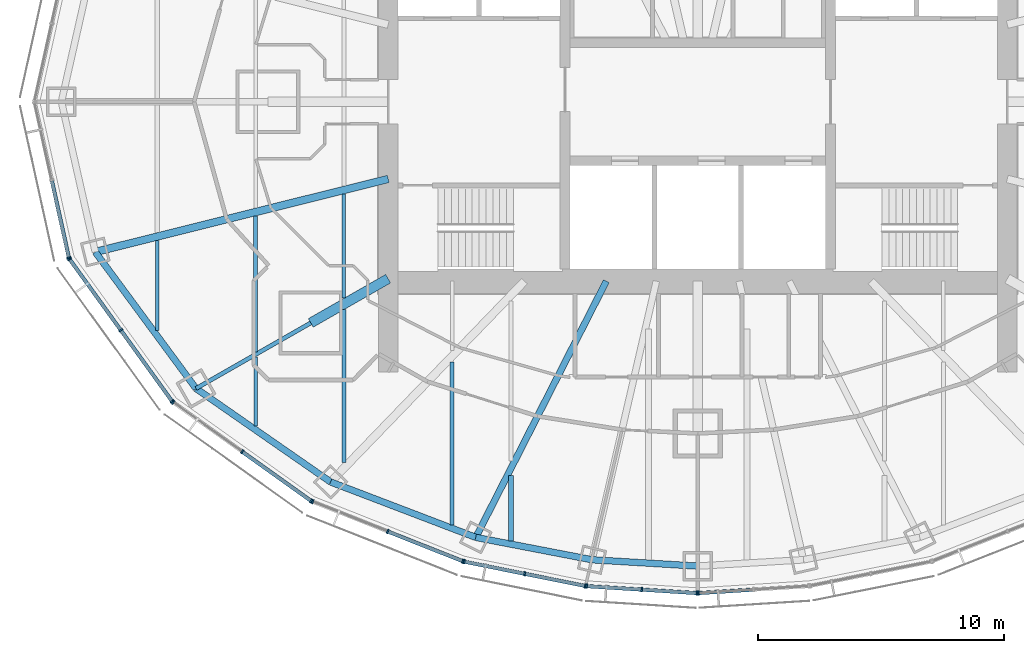
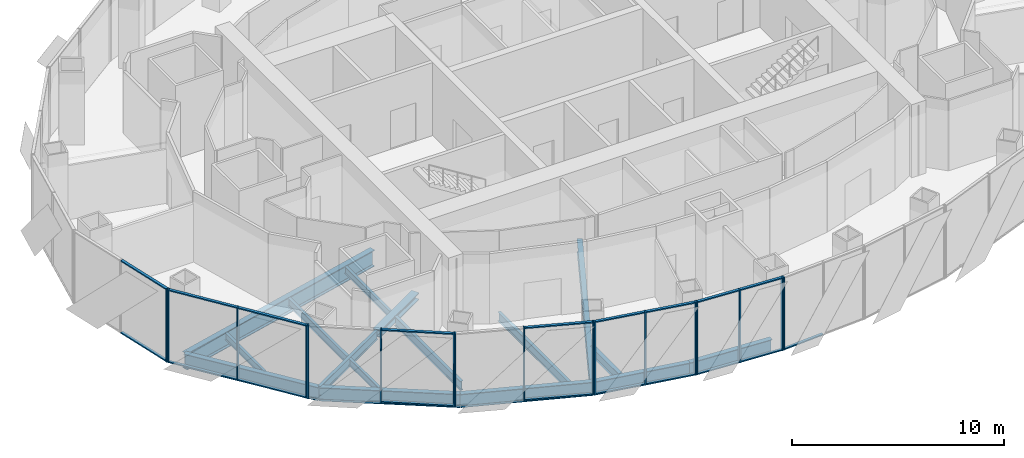
# One storey, part 2 of 18: 36 members, 16 beams, 7 elements without a shape of their own.
"""IFC4 building model written with IfcOpenShell, lengths in metres."""

from ifc_helpers import new_model, si_unit, direction, frame, origin, origin_2d, place, context, subcontext, project, spatial, rectangle, i_section, extrude, material, material_profile, profile_set, type_object, element, aggregate, save


model = new_model("IFC4")

# Units and contexts
model_context = context("Model", 3, precision=1e-05, world=origin(), true_north=direction((0.0, 1.0)))
body_context = subcontext(model_context, "Body", "Model", "MODEL_VIEW")
ifc_project = project(units=[si_unit("LENGTHUNIT", "METRE"), si_unit("AREAUNIT", "SQUARE_METRE"), si_unit("VOLUMEUNIT", "CUBIC_METRE"), si_unit("PLANEANGLEUNIT", "RADIAN"), si_unit("MASSUNIT", "GRAM", prefix="KILO")], contexts=[model_context])

# Site, building, storey
site_placement = place(None, origin())
site = spatial("IfcSite", under=ifc_project, at=site_placement, CompositionType="ELEMENT")
building_placement = place(site_placement, origin())
building = spatial("IfcBuilding", under=site, at=building_placement, Name="Lantaw Convention Tower", CompositionType="ELEMENT")
storey_placement = place(building_placement, frame((0.0, 0.0, 257.800048828125)))
storey = spatial("IfcBuildingStorey", under=building, at=storey_placement, Name="L60", CompositionType="ELEMENT", Elevation=257.800048828125)

# Beams
ifc_material_1 = material(Name="Steel ASTM A992", Category="steel")
ifc_material_profile_1 = material_profile(ifc_material_1, i_section(OverallWidth=0.2666015625, OverallDepth=0.76953125, WebThickness=0.015625, FlangeThickness=0.025390625, FilletRadius=0.0126953125, at=origin_2d()), Name="W30X132")
ifc_profile_set_1 = profile_set([ifc_material_profile_1], Name="Steel ASTM A992")
beam_type_1 = type_object("IfcBeamType", Name="Beam E W30X132", PredefinedType="SPANDREL", material=ifc_profile_set_1)
beam_1_placement = place(storey_placement, frame((-24.52197265625, -6.114013671875, -0.534912109375), z_axis=(0.593639188853, -0.804731329984, 0.0), x_axis=(0.804731329984, 0.593639188853, 0.0)))
element("IfcBeam", 1, at=beam_1_placement, inside=storey, type_object=beam_type_1, Name="Edge beam 14", PredefinedType="SPANDREL", context=body_context, shape_type="SweptSolid", body=[
    extrude(i_section(OverallWidth=0.2666015625, OverallDepth=0.76953125, WebThickness=0.015625, FlangeThickness=0.025390625, FilletRadius=0.0126953125, at=origin_2d()), origin(), (0.0, 0.0, 1.0), 6.904541015625),
])
beam_2_placement = place(storey_placement, frame((-20.423095703125, -11.67041015625, -0.534912109375), z_axis=(0.82135329406, -0.570419815869, 0.0), x_axis=(0.570419815869, 0.82135329406, 0.0)))
element("IfcBeam", 2, at=beam_2_placement, inside=storey, type_object=beam_type_1, Name="Edge beam 15", PredefinedType="SPANDREL", context=body_context, shape_type="SweptSolid", body=[
    extrude(i_section(OverallWidth=0.2666015625, OverallDepth=0.76953125, WebThickness=0.015625, FlangeThickness=0.025390625, FilletRadius=0.0126953125, at=origin_2d()), origin(), (0.0, 0.0, 1.0), 6.67041015625),
])
beam_3_placement = place(storey_placement, frame((-14.9443359375, -15.475341796875, -0.534912109375), z_axis=(0.934234988, -0.356658081637, 0.0), x_axis=(0.356658081637, 0.934234988, 0.0)))
element("IfcBeam", 3, at=beam_3_placement, inside=storey, type_object=beam_type_1, Name="Edge beam 16", PredefinedType="SPANDREL", context=body_context, shape_type="SweptSolid", body=[
    extrude(i_section(OverallWidth=0.2666015625, OverallDepth=0.76953125, WebThickness=0.015625, FlangeThickness=0.025390625, FilletRadius=0.0126953125, at=origin_2d()), origin(), (0.0, 0.0, 1.0), 6.32568359375),
])
beam_4_placement = place(storey_placement, frame((-9.03466796875, -17.7314453125, -0.534912109375), z_axis=(0.981972091702, -0.189025953556, 0.0), x_axis=(0.189025953556, 0.981972091702, 0.0)))
element("IfcBeam", 4, at=beam_4_placement, inside=storey, type_object=beam_type_1, Name="Edge beam 17", PredefinedType="SPANDREL", context=body_context, shape_type="SweptSolid", body=[
    extrude(i_section(OverallWidth=0.2666015625, OverallDepth=0.76953125, WebThickness=0.015625, FlangeThickness=0.025390625, FilletRadius=0.0126953125, at=origin_2d()), origin(), (0.0, 0.0, 1.0), 4.817626953125),
])
beam_5_placement = place(storey_placement, frame((-4.303955078125, -18.64208984375, -0.534912109375), z_axis=(0.998210730897, -0.059794119452, 0.0), x_axis=(0.059794119452, 0.998210730897, 0.0)))
element("IfcBeam", 5, at=beam_5_placement, inside=storey, type_object=beam_type_1, Name="Edge beam 18", PredefinedType="SPANDREL", context=body_context, shape_type="SweptSolid", body=[
    extrude(i_section(OverallWidth=0.2666015625, OverallDepth=0.76953125, WebThickness=0.015625, FlangeThickness=0.025390625, FilletRadius=0.0126953125, at=origin_2d()), origin(), (0.0, 0.0, 1.0), 4.311767578125),
])
ifc_material_profile_2 = material_profile(ifc_material_1, i_section(OverallWidth=0.1650390625, OverallDepth=0.52587890625, WebThickness=0.0087890625, FlangeThickness=0.011474609375, FilletRadius=0.0126953125, at=origin_2d()), Name="W21X44")
ifc_profile_set_2 = profile_set([ifc_material_profile_2], Name="Steel ASTM A992")
beam_type_2 = type_object("IfcBeamType", Name="Beam G W21X44", PredefinedType="BEAM", material=ifc_profile_set_2)
beam_6_placement = place(storey_placement, frame((-15.75, -9.0, -0.412841796875), z_axis=(-0.868237559289, -0.496148708192, 0.0), x_axis=(0.496148708192, -0.868237559289, 0.0)))
element("IfcBeam", 6, at=beam_6_placement, inside=storey, type_object=beam_type_2, Name="Floor girder on ray 15", PredefinedType="BEAM", context=body_context, shape_type="SweptSolid", body=[
    extrude(i_section(OverallWidth=0.1650390625, OverallDepth=0.52587890625, WebThickness=0.0087890625, FlangeThickness=0.011474609375, FilletRadius=0.0126953125, at=origin_2d()), origin(), (0.0, 0.0, 1.0), 5.38232421875),
])
ifc_material_profile_3 = material_profile(ifc_material_1, i_section(OverallWidth=0.2666015625, OverallDepth=0.7568359375, WebThickness=0.013916015625, FlangeThickness=0.019287109375, FilletRadius=0.0126953125, at=origin_2d()), Name="W30X108")
ifc_profile_set_3 = profile_set([ifc_material_profile_3], Name="Steel ASTM A992")
beam_type_3 = type_object("IfcBeamType", Name="Beam G W30X108", PredefinedType="BEAM", material=ifc_profile_set_3)
beam_7_placement = place(storey_placement, frame((-3.719482421875, -7.300048828125, -0.528564453125), z_axis=(-0.4539988787, -0.891002254845, 0.0), x_axis=(0.891002254845, -0.4539988787, 0.0)))
element("IfcBeam", 7, at=beam_7_placement, inside=storey, type_object=beam_type_3, Name="Floor girder on ray 17", PredefinedType="BEAM", context=body_context, shape_type="SweptSolid", body=[
    extrude(i_section(OverallWidth=0.2666015625, OverallDepth=0.7568359375, WebThickness=0.013916015625, FlangeThickness=0.019287109375, FilletRadius=0.0126953125, at=origin_2d()), origin(), (0.0, 0.0, 1.0), 11.70751953125),
])
ifc_material_profile_4 = material_profile(ifc_material_1, i_section(OverallWidth=0.307373046875, OverallDepth=0.9423828125, WebThickness=0.022216796875, FlangeThickness=0.039794921875, FilletRadius=0.0126953125, at=origin_2d()), Name="W36X232")
ifc_profile_set_4 = profile_set([ifc_material_profile_4], Name="Steel ASTM A992")
beam_type_4 = type_object("IfcBeamType", Name="Beam G W36X232", PredefinedType="BEAM", material=ifc_profile_set_4)
beam_8_placement = place(storey_placement, frame((-12.60009765625, -3.1416015625, -0.621337890625), z_axis=(-0.970296589314, -0.241918434119, 0.0), x_axis=(0.241918434119, -0.970296589314, 0.0)))
element("IfcBeam", 8, at=beam_8_placement, inside=storey, type_object=beam_type_4, Name="Floor girder on ray 14", PredefinedType="BEAM", context=body_context, shape_type="SweptSolid", body=[
    extrude(i_section(OverallWidth=0.307373046875, OverallDepth=0.9423828125, WebThickness=0.022216796875, FlangeThickness=0.039794921875, FilletRadius=0.0126953125, at=origin_2d()), origin(), (0.0, 0.0, 1.0), 12.286865234375),
])
ifc_material_profile_5 = material_profile(ifc_material_1, i_section(OverallWidth=0.40380859375, OverallDepth=0.406494140625, WebThickness=0.027099609375, FlangeThickness=0.043701171875, FilletRadius=0.01513671875, at=origin_2d()), Name="W14X233")
ifc_profile_set_5 = profile_set([ifc_material_profile_5], Name="Steel ASTM A992")
beam_type_5 = type_object("IfcBeamType", Name="Beam GM W14X233", PredefinedType="BEAM", material=ifc_profile_set_5)
beam_9_placement = place(storey_placement, frame((-12.60009765625, -7.199951171875, -0.353271484375), z_axis=(-0.868230718294, -0.496160679428, 0.0), x_axis=(0.496160679428, -0.868230718294, 0.0)))
element("IfcBeam", 9, at=beam_9_placement, inside=storey, type_object=beam_type_5, Name="Core link beam on ray 15", PredefinedType="BEAM", context=body_context, shape_type="SweptSolid", body=[
    extrude(i_section(OverallWidth=0.40380859375, OverallDepth=0.406494140625, WebThickness=0.027099609375, FlangeThickness=0.043701171875, FilletRadius=0.01513671875, at=origin_2d()), origin(), (0.0, 0.0, 1.0), 3.6279296875),
])
ifc_material_profile_6 = material_profile(ifc_material_1, i_section(OverallWidth=0.140380859375, OverallDepth=0.40380859375, WebThickness=0.007080078125, FlangeThickness=0.01123046875, FilletRadius=0.01025390625, at=origin_2d()), Name="W16X31")
ifc_profile_set_6 = profile_set([ifc_material_profile_6], Name="Steel ASTM A992")
beam_type_6 = type_object("IfcBeamType", Name="Beam J W16X31", PredefinedType="JOIST", material=ifc_profile_set_6)
beam_10_placement = place(storey_placement, frame((-22.0, -9.30810546875, -0.35205078125), z_axis=(0.0, 1.0, 0.0), x_axis=(-1.0, 0.0, 0.0)))
element("IfcBeam", 10, at=beam_10_placement, inside=storey, type_object=beam_type_6, Name="Floor joist", PredefinedType="JOIST", context=body_context, shape_type="SweptSolid", body=[
    extrude(i_section(OverallWidth=0.140380859375, OverallDepth=0.40380859375, WebThickness=0.007080078125, FlangeThickness=0.01123046875, FilletRadius=0.01025390625, at=origin_2d()), origin(), (0.0, 0.0, 1.0), 3.66455078125),
])
beam_11_placement = place(storey_placement, frame((-18.0, -13.19091796875, -0.35205078125), z_axis=(0.0, 1.0, 0.0), x_axis=(-1.0, 0.0, 0.0)))
element("IfcBeam", 11, at=beam_11_placement, inside=storey, type_object=beam_type_6, Name="Floor joist", PredefinedType="JOIST", context=body_context, shape_type="SweptSolid", body=[
    extrude(i_section(OverallWidth=0.140380859375, OverallDepth=0.40380859375, WebThickness=0.007080078125, FlangeThickness=0.01123046875, FilletRadius=0.01025390625, at=origin_2d()), origin(), (0.0, 0.0, 1.0), 2.81005859375),
])
beam_12_placement = place(storey_placement, frame((-14.39990234375, -7.99609375, -0.35205078125), z_axis=(0.0, 1.0, 0.0), x_axis=(-1.0, 0.0, 0.0)))
element("IfcBeam", 12, at=beam_12_placement, inside=storey, type_object=beam_type_6, Name="Floor joist", PredefinedType="JOIST", context=body_context, shape_type="SweptSolid", body=[
    extrude(i_section(OverallWidth=0.140380859375, OverallDepth=0.40380859375, WebThickness=0.007080078125, FlangeThickness=0.01123046875, FilletRadius=0.01025390625, at=origin_2d()), origin(), (0.0, 0.0, 1.0), 4.247314453125),
])
ifc_material_profile_7 = material_profile(ifc_material_1, i_section(OverallWidth=0.15234375, OverallDepth=0.449462890625, WebThickness=0.007568359375, FlangeThickness=0.0107421875, FilletRadius=0.01025390625, at=origin_2d()), Name="W18X35")
ifc_profile_set_7 = profile_set([ifc_material_profile_7], Name="Steel ASTM A992")
beam_type_7 = type_object("IfcBeamType", Name="Beam J W18X35", PredefinedType="JOIST", material=ifc_profile_set_7)
beam_13_placement = place(storey_placement, frame((-18.0, -10.190673828125, -0.374755859375), z_axis=(0.0, 1.0, 0.0), x_axis=(-1.0, 0.0, 0.0)))
element("IfcBeam", 13, at=beam_13_placement, inside=storey, type_object=beam_type_7, Name="Floor joist", PredefinedType="JOIST", context=body_context, shape_type="SweptSolid", body=[
    extrude(i_section(OverallWidth=0.15234375, OverallDepth=0.449462890625, WebThickness=0.007568359375, FlangeThickness=0.0107421875, FilletRadius=0.01025390625, at=origin_2d()), origin(), (0.0, 0.0, 1.0), 5.54443359375),
])
ifc_material_profile_8 = material_profile(ifc_material_1, i_section(OverallWidth=0.1650390625, OverallDepth=0.52587890625, WebThickness=0.0087890625, FlangeThickness=0.011474609375, FilletRadius=0.0126953125, at=origin_2d()), Name="W21X44")
ifc_profile_set_8 = profile_set([ifc_material_profile_8], Name="Steel ASTM A992")
beam_type_8 = type_object("IfcBeamType", Name="Beam J W21X44", PredefinedType="JOIST", material=ifc_profile_set_8)
beam_14_placement = place(storey_placement, frame((-14.39990234375, -14.67578125, -0.412841796875), z_axis=(0.0, 1.0, 0.0), x_axis=(-1.0, 0.0, 0.0)))
element("IfcBeam", 14, at=beam_14_placement, inside=storey, type_object=beam_type_8, Name="Floor joist", PredefinedType="JOIST", context=body_context, shape_type="SweptSolid", body=[
    extrude(i_section(OverallWidth=0.1650390625, OverallDepth=0.52587890625, WebThickness=0.0087890625, FlangeThickness=0.011474609375, FilletRadius=0.0126953125, at=origin_2d()), origin(), (0.0, 0.0, 1.0), 6.214599609375),
])
beam_15_placement = place(storey_placement, frame((-10.0, -17.22021484375, -0.412841796875), z_axis=(0.0, 1.0, 0.0), x_axis=(-1.0, 0.0, 0.0)))
element("IfcBeam", 15, at=beam_15_placement, inside=storey, type_object=beam_type_8, Name="Floor joist", PredefinedType="JOIST", context=body_context, shape_type="SweptSolid", body=[
    extrude(i_section(OverallWidth=0.1650390625, OverallDepth=0.52587890625, WebThickness=0.0087890625, FlangeThickness=0.011474609375, FilletRadius=0.0126953125, at=origin_2d()), origin(), (0.0, 0.0, 1.0), 6.629150390625),
])
ifc_material_profile_9 = material_profile(ifc_material_1, i_section(OverallWidth=0.2099609375, OverallDepth=0.535888671875, WebThickness=0.010986328125, FlangeThickness=0.017333984375, FilletRadius=0.012939453125, at=origin_2d()), Name="W21X68")
ifc_profile_set_9 = profile_set([ifc_material_profile_9], Name="Steel ASTM A992")
beam_type_9 = type_object("IfcBeamType", Name="Beam J W21X68", PredefinedType="JOIST", material=ifc_profile_set_9)
beam_16_placement = place(storey_placement, frame((-7.60009765625, -17.871826171875, -0.41796875), z_axis=(0.0, 1.0, 0.0), x_axis=(-1.0, 0.0, 0.0)))
element("IfcBeam", 16, at=beam_16_placement, inside=storey, type_object=beam_type_9, Name="Floor joist", PredefinedType="JOIST", context=body_context, shape_type="SweptSolid", body=[
    extrude(i_section(OverallWidth=0.2099609375, OverallDepth=0.535888671875, WebThickness=0.010986328125, FlangeThickness=0.017333984375, FilletRadius=0.012939453125, at=origin_2d()), origin(), (0.0, 0.0, 1.0), 2.662353515625),
])

# Curtain wall, member
ifc_material_2 = material(Name="Aluminium framed curtain wall", Category="aluminium")
curtain_wall_type = type_object("IfcCurtainWallType", Name="Office curtain wall high rise, pale aluminium", PredefinedType="USERDEFINED", material=ifc_material_2)
curtain_wall_1_placement = place(storey_placement, origin())
curtain_wall_1 = element("IfcCurtainWall", 17, at=curtain_wall_1_placement, inside=storey, type_object=curtain_wall_type, Name="Office curtain wall high rise, pale aluminium L60", ObjectType="UNITISED CURTAIN WALL", PredefinedType="USERDEFINED")
ifc_material_3 = material(Name="Aluminium 6063-T6", Category="aluminium")
ifc_material_profile_10 = material_profile(ifc_material_3, rectangle(XDim=0.179931640625, YDim=0.06494140625, at=origin_2d()), Name="CW-O2 mullion 65x180")
ifc_profile_set_10 = profile_set([ifc_material_profile_10], Name="Aluminium 6063-T6")
member_type_1 = type_object("IfcMemberType", Name="CW-O2 mullion 65x180", PredefinedType="MULLION", material=ifc_profile_set_10)
member_1_placement = place(storey_placement, frame((-25.596435546875, -6.348388671875, -0.150146484375), z_axis=(0.0, 0.0, 1.0), x_axis=(0.976417396437, 0.215891333626, 0.0)))
member_1 = element("IfcMember", 18, at=member_1_placement, type_object=member_type_1, Name="CW-O2 mullion 3", PredefinedType="MULLION", context=body_context, shape_type="SweptSolid", body=[
    extrude(rectangle(XDim=0.179931640625, YDim=0.06494140625, at=origin_2d()), origin(), (0.0, 0.0, 1.0), 4.2001953125),
])

# Curtain wall, members
curtain_wall_2_placement = place(storey_placement, origin())
curtain_wall_2 = element("IfcCurtainWall", 19, at=curtain_wall_2_placement, inside=storey, type_object=curtain_wall_type, Name="Office curtain wall high rise, pale aluminium L60", ObjectType="UNITISED CURTAIN WALL", PredefinedType="USERDEFINED")
member_2_placement = place(storey_placement, frame((-25.5703125, -6.406494140625, -0.150146484375), z_axis=(0.0, 0.0, 1.0), x_axis=(0.810919559405, 0.585157643865, 0.0)))
member_2 = element("IfcMember", 20, at=member_2_placement, type_object=member_type_1, Name="CW-O2 mullion 1", PredefinedType="MULLION", context=body_context, shape_type="SweptSolid", body=[
    extrude(rectangle(XDim=0.179931640625, YDim=0.06494140625, at=origin_2d()), origin(), (0.0, 0.0, 1.0), 4.2001953125),
])
member_3_placement = place(storey_placement, frame((-23.483642578125, -9.298095703125, -0.150146484375), z_axis=(0.0, 0.0, 1.0), x_axis=(0.810919559405, 0.585157643865, 0.0)))
member_3 = element("IfcMember", 21, at=member_3_placement, type_object=member_type_1, Name="CW-O2 mullion 2", PredefinedType="MULLION", context=body_context, shape_type="SweptSolid", body=[
    extrude(rectangle(XDim=0.179931640625, YDim=0.06494140625, at=origin_2d()), origin(), (0.0, 0.0, 1.0), 4.2001953125),
])
member_4_placement = place(storey_placement, frame((-21.397216796875, -12.189697265625, -0.150146484375), z_axis=(0.0, 0.0, 1.0), x_axis=(0.810919559405, 0.585157643865, 0.0)))
member_4 = element("IfcMember", 22, at=member_4_placement, type_object=member_type_1, Name="CW-O2 mullion 3", PredefinedType="MULLION", context=body_context, shape_type="SweptSolid", body=[
    extrude(rectangle(XDim=0.179931640625, YDim=0.06494140625, at=origin_2d()), origin(), (0.0, 0.0, 1.0), 4.2001953125),
])

curtain_wall_3_placement = place(storey_placement, origin())
curtain_wall_3 = element("IfcCurtainWall", 23, at=curtain_wall_3_placement, inside=storey, type_object=curtain_wall_type, Name="Office curtain wall high rise, pale aluminium L60", ObjectType="UNITISED CURTAIN WALL", PredefinedType="USERDEFINED")
member_5_placement = place(storey_placement, frame((-21.3515625, -12.23486328125, -0.150146484375), z_axis=(0.0, 0.0, 1.0), x_axis=(0.581323487281, 0.813672540482, 0.0)))
member_5 = element("IfcMember", 24, at=member_5_placement, type_object=member_type_1, Name="CW-O2 mullion 1", PredefinedType="MULLION", context=body_context, shape_type="SweptSolid", body=[
    extrude(rectangle(XDim=0.179931640625, YDim=0.06494140625, at=origin_2d()), origin(), (0.0, 0.0, 1.0), 4.2001953125),
])
member_6_placement = place(storey_placement, frame((-18.543212890625, -14.241455078125, -0.150146484375), z_axis=(0.0, 0.0, 1.0), x_axis=(0.581323487281, 0.813672540482, 0.0)))
member_6 = element("IfcMember", 25, at=member_6_placement, type_object=member_type_1, Name="CW-O2 mullion 2", PredefinedType="MULLION", context=body_context, shape_type="SweptSolid", body=[
    extrude(rectangle(XDim=0.179931640625, YDim=0.06494140625, at=origin_2d()), origin(), (0.0, 0.0, 1.0), 4.2001953125),
])
member_7_placement = place(storey_placement, frame((-15.73486328125, -16.247802734375, -0.150146484375), z_axis=(0.0, 0.0, 1.0), x_axis=(0.581323487281, 0.813672540482, 0.0)))
member_7 = element("IfcMember", 26, at=member_7_placement, type_object=member_type_1, Name="CW-O2 mullion 3", PredefinedType="MULLION", context=body_context, shape_type="SweptSolid", body=[
    extrude(rectangle(XDim=0.179931640625, YDim=0.06494140625, at=origin_2d()), origin(), (0.0, 0.0, 1.0), 4.2001953125),
])

curtain_wall_4_placement = place(storey_placement, origin())
curtain_wall_4 = element("IfcCurtainWall", 27, at=curtain_wall_4_placement, inside=storey, type_object=curtain_wall_type, Name="Office curtain wall high rise, pale aluminium L60", ObjectType="UNITISED CURTAIN WALL", PredefinedType="USERDEFINED")
member_8_placement = place(storey_placement, frame((-15.67822265625, -16.278564453125, -0.150146484375), z_axis=(0.0, 0.0, 1.0), x_axis=(0.368162315252, 0.929761533743, 0.0)))
member_8 = element("IfcMember", 28, at=member_8_placement, type_object=member_type_1, Name="CW-O2 mullion 1", PredefinedType="MULLION", context=body_context, shape_type="SweptSolid", body=[
    extrude(rectangle(XDim=0.179931640625, YDim=0.06494140625, at=origin_2d()), origin(), (0.0, 0.0, 1.0), 4.2001953125),
])
member_9_placement = place(storey_placement, frame((-12.621337890625, -17.4892578125, -0.150146484375), z_axis=(0.0, 0.0, 1.0), x_axis=(0.368162315252, 0.929761533743, 0.0)))
member_9 = element("IfcMember", 29, at=member_9_placement, type_object=member_type_1, Name="CW-O2 mullion 2", PredefinedType="MULLION", context=body_context, shape_type="SweptSolid", body=[
    extrude(rectangle(XDim=0.179931640625, YDim=0.06494140625, at=origin_2d()), origin(), (0.0, 0.0, 1.0), 4.2001953125),
])
member_10_placement = place(storey_placement, frame((-9.564208984375, -18.69970703125, -0.150146484375), z_axis=(0.0, 0.0, 1.0), x_axis=(0.368162315252, 0.929761533743, 0.0)))
member_10 = element("IfcMember", 30, at=member_10_placement, type_object=member_type_1, Name="CW-O2 mullion 3", PredefinedType="MULLION", context=body_context, shape_type="SweptSolid", body=[
    extrude(rectangle(XDim=0.179931640625, YDim=0.06494140625, at=origin_2d()), origin(), (0.0, 0.0, 1.0), 4.2001953125),
])

curtain_wall_5_placement = place(storey_placement, origin())
curtain_wall_5 = element("IfcCurtainWall", 31, at=curtain_wall_5_placement, inside=storey, type_object=curtain_wall_type, Name="Office curtain wall high rise, pale aluminium L60", ObjectType="UNITISED CURTAIN WALL", PredefinedType="USERDEFINED")
member_11_placement = place(storey_placement, frame((-9.502197265625, -18.718017578125, -0.150146484375), z_axis=(0.0, 0.0, 1.0), x_axis=(0.197183095987, 0.980366679695, 0.0)))
member_11 = element("IfcMember", 32, at=member_11_placement, type_object=member_type_1, Name="CW-O2 mullion 1", PredefinedType="MULLION", context=body_context, shape_type="SweptSolid", body=[
    extrude(rectangle(XDim=0.179931640625, YDim=0.06494140625, at=origin_2d()), origin(), (0.0, 0.0, 1.0), 4.2001953125),
])
member_12_placement = place(storey_placement, frame((-7.042724609375, -19.212646484375, -0.150146484375), z_axis=(0.0, 0.0, 1.0), x_axis=(0.197183095987, 0.980366679695, 0.0)))
member_12 = element("IfcMember", 33, at=member_12_placement, type_object=member_type_1, Name="CW-O2 mullion 2", PredefinedType="MULLION", context=body_context, shape_type="SweptSolid", body=[
    extrude(rectangle(XDim=0.179931640625, YDim=0.06494140625, at=origin_2d()), origin(), (0.0, 0.0, 1.0), 4.2001953125),
])
member_13_placement = place(storey_placement, frame((-4.583251953125, -19.70751953125, -0.150146484375), z_axis=(0.0, 0.0, 1.0), x_axis=(0.197183095987, 0.980366679695, 0.0)))
member_13 = element("IfcMember", 34, at=member_13_placement, type_object=member_type_1, Name="CW-O2 mullion 3", PredefinedType="MULLION", context=body_context, shape_type="SweptSolid", body=[
    extrude(rectangle(XDim=0.179931640625, YDim=0.06494140625, at=origin_2d()), origin(), (0.0, 0.0, 1.0), 4.2001953125),
])

curtain_wall_6_placement = place(storey_placement, origin())
curtain_wall_6 = element("IfcCurtainWall", 35, at=curtain_wall_6_placement, inside=storey, type_object=curtain_wall_type, Name="Office curtain wall high rise, pale aluminium L60", ObjectType="UNITISED CURTAIN WALL", PredefinedType="USERDEFINED")
member_14_placement = place(storey_placement, frame((-4.518798828125, -19.7158203125, -0.150146484375), z_axis=(0.0, 0.0, 1.0), x_axis=(0.062757983884, 0.998028774865, 0.0)))
member_14 = element("IfcMember", 36, at=member_14_placement, type_object=member_type_1, Name="CW-O2 mullion 1", PredefinedType="MULLION", context=body_context, shape_type="SweptSolid", body=[
    extrude(rectangle(XDim=0.179931640625, YDim=0.06494140625, at=origin_2d()), origin(), (0.0, 0.0, 1.0), 4.2001953125),
])
member_15_placement = place(storey_placement, frame((-2.275634765625, -19.85693359375, -0.150146484375), z_axis=(0.0, 0.0, 1.0), x_axis=(0.062757983884, 0.998028774865, 0.0)))
member_15 = element("IfcMember", 37, at=member_15_placement, type_object=member_type_1, Name="CW-O2 mullion 2", PredefinedType="MULLION", context=body_context, shape_type="SweptSolid", body=[
    extrude(rectangle(XDim=0.179931640625, YDim=0.06494140625, at=origin_2d()), origin(), (0.0, 0.0, 1.0), 4.2001953125),
])
member_16_placement = place(storey_placement, frame((-0.032470703125, -19.998046875, -0.150146484375), z_axis=(0.0, 0.0, 1.0), x_axis=(0.062757983884, 0.998028774865, 0.0)))
member_16 = element("IfcMember", 38, at=member_16_placement, type_object=member_type_1, Name="CW-O2 mullion 3", PredefinedType="MULLION", context=body_context, shape_type="SweptSolid", body=[
    extrude(rectangle(XDim=0.179931640625, YDim=0.06494140625, at=origin_2d()), origin(), (0.0, 0.0, 1.0), 4.2001953125),
])

# Curtain wall, member
curtain_wall_7_placement = place(storey_placement, origin())
curtain_wall_7 = element("IfcCurtainWall", 39, at=curtain_wall_7_placement, inside=storey, type_object=curtain_wall_type, Name="Office curtain wall high rise, pale aluminium L60", ObjectType="UNITISED CURTAIN WALL", PredefinedType="USERDEFINED")
member_17_placement = place(storey_placement, frame((0.032470703125, -19.998046875, -0.150146484375), z_axis=(0.0, 0.0, 1.0), x_axis=(-0.062757983884, 0.998028774865, 0.0)))
member_17 = element("IfcMember", 40, at=member_17_placement, type_object=member_type_1, Name="CW-O2 mullion 1", PredefinedType="MULLION", context=body_context, shape_type="SweptSolid", body=[
    extrude(rectangle(XDim=0.179931640625, YDim=0.06494140625, at=origin_2d()), origin(), (0.0, 0.0, 1.0), 4.2001953125),
])

# Member
ifc_material_profile_11 = material_profile(ifc_material_3, rectangle(XDim=0.14990234375, YDim=0.06494140625, at=origin_2d()), Name="CW-O2 transom 65x150")
ifc_profile_set_11 = profile_set([ifc_material_profile_11], Name="Aluminium 6063-T6")
member_type_2 = type_object("IfcMemberType", Name="CW-O2 transom 65x150", PredefinedType="USERDEFINED", material=ifc_profile_set_11)
member_18_placement = place(storey_placement, frame((-26.28759765625, -3.2216796875, -0.117431640625), z_axis=(0.215894607042, -0.976416672661, 0.0), x_axis=(0.976416672661, 0.215894607042, 0.0)))
member_18 = element("IfcMember", 41, at=member_18_placement, type_object=member_type_2, Name="CW-O2 transom 2.1", ObjectType="TRANSOM", PredefinedType="USERDEFINED", context=body_context, shape_type="SweptSolid", body=[
    extrude(rectangle(XDim=0.14990234375, YDim=0.06494140625, at=origin_2d()), origin(), (0.0, 0.0, 1.0), 3.169677734375),
])

member_19_placement = place(storey_placement, frame((-26.28759765625, -3.2216796875, 4.017333984375), z_axis=(0.215894607042, -0.976416672661, 0.0), x_axis=(0.976416672661, 0.215894607042, 0.0)))
member_19 = element("IfcMember", 42, at=member_19_placement, type_object=member_type_2, Name="CW-O2 transom 2.2", ObjectType="TRANSOM", PredefinedType="USERDEFINED", context=body_context, shape_type="SweptSolid", body=[
    extrude(rectangle(XDim=0.14990234375, YDim=0.06494140625, at=origin_2d()), origin(), (0.0, 0.0, 1.0), 3.169677734375),
])

aggregate(curtain_wall_1, [member_1, member_18, member_19])

member_20_placement = place(storey_placement, frame((-25.55126953125, -6.432861328125, -0.117431640625), z_axis=(0.585169685931, -0.810910869743, 0.0), x_axis=(0.810910869743, 0.585169685931, 0.0)))
member_20 = element("IfcMember", 43, at=member_20_placement, type_object=member_type_2, Name="CW-O2 transom 1.1", ObjectType="TRANSOM", PredefinedType="USERDEFINED", context=body_context, shape_type="SweptSolid", body=[
    extrude(rectangle(XDim=0.14990234375, YDim=0.06494140625, at=origin_2d()), origin(), (0.0, 0.0, 1.0), 3.500732421875),
])

member_21_placement = place(storey_placement, frame((-25.55126953125, -6.432861328125, 4.017333984375), z_axis=(0.585169685931, -0.810910869743, 0.0), x_axis=(0.810910869743, 0.585169685931, 0.0)))
member_21 = element("IfcMember", 44, at=member_21_placement, type_object=member_type_2, Name="CW-O2 transom 1.2", ObjectType="TRANSOM", PredefinedType="USERDEFINED", context=body_context, shape_type="SweptSolid", body=[
    extrude(rectangle(XDim=0.14990234375, YDim=0.06494140625, at=origin_2d()), origin(), (0.0, 0.0, 1.0), 3.500732421875),
])

member_22_placement = place(storey_placement, frame((-23.464599609375, -9.324462890625, -0.117431640625), z_axis=(0.585123825205, -0.810943961798, 0.0), x_axis=(0.810943961798, 0.585123825205, 0.0)))
member_22 = element("IfcMember", 45, at=member_22_placement, type_object=member_type_2, Name="CW-O2 transom 2.1", ObjectType="TRANSOM", PredefinedType="USERDEFINED", context=body_context, shape_type="SweptSolid", body=[
    extrude(rectangle(XDim=0.14990234375, YDim=0.06494140625, at=origin_2d()), origin(), (0.0, 0.0, 1.0), 3.500732421875),
])

member_23_placement = place(storey_placement, frame((-23.464599609375, -9.324462890625, 4.017333984375), z_axis=(0.585123825205, -0.810943961798, 0.0), x_axis=(0.810943961798, 0.585123825205, 0.0)))
member_23 = element("IfcMember", 46, at=member_23_placement, type_object=member_type_2, Name="CW-O2 transom 2.2", ObjectType="TRANSOM", PredefinedType="USERDEFINED", context=body_context, shape_type="SweptSolid", body=[
    extrude(rectangle(XDim=0.14990234375, YDim=0.06494140625, at=origin_2d()), origin(), (0.0, 0.0, 1.0), 3.500732421875),
])

aggregate(curtain_wall_2, [member_2, member_3, member_4, member_20, member_21, member_22, member_23])

member_24_placement = place(storey_placement, frame((-18.516845703125, -14.26025390625, -0.117431640625), z_axis=(0.813645780821, -0.581360940683, 0.0), x_axis=(0.581360940683, 0.813645780821, 0.0)))
member_24 = element("IfcMember", 47, at=member_24_placement, type_object=member_type_2, Name="CW-O2 transom 2.1", ObjectType="TRANSOM", PredefinedType="USERDEFINED", context=body_context, shape_type="SweptSolid", body=[
    extrude(rectangle(XDim=0.14990234375, YDim=0.06494140625, at=origin_2d()), origin(), (0.0, 0.0, 1.0), 3.386474609375),
])

member_25_placement = place(storey_placement, frame((-18.516845703125, -14.26025390625, 4.017333984375), z_axis=(0.813645780821, -0.581360940683, 0.0), x_axis=(0.581360940683, 0.813645780821, 0.0)))
member_25 = element("IfcMember", 48, at=member_25_placement, type_object=member_type_2, Name="CW-O2 transom 2.2", ObjectType="TRANSOM", PredefinedType="USERDEFINED", context=body_context, shape_type="SweptSolid", body=[
    extrude(rectangle(XDim=0.14990234375, YDim=0.06494140625, at=origin_2d()), origin(), (0.0, 0.0, 1.0), 3.386474609375),
])

aggregate(curtain_wall_3, [member_5, member_6, member_7, member_24, member_25])

member_26_placement = place(storey_placement, frame((-12.591064453125, -17.501220703125, -0.117431640625), z_axis=(0.929766642946, -0.368149412149, 0.0), x_axis=(0.368149412149, 0.929766642946, 0.0)))
member_26 = element("IfcMember", 49, at=member_26_placement, type_object=member_type_2, Name="CW-O2 transom 2.1", ObjectType="TRANSOM", PredefinedType="USERDEFINED", context=body_context, shape_type="SweptSolid", body=[
    extrude(rectangle(XDim=0.14990234375, YDim=0.06494140625, at=origin_2d()), origin(), (0.0, 0.0, 1.0), 3.222900390625),
])

member_27_placement = place(storey_placement, frame((-12.591064453125, -17.501220703125, 4.017333984375), z_axis=(0.929766642946, -0.368149412149, 0.0), x_axis=(0.368149412149, 0.929766642946, 0.0)))
member_27 = element("IfcMember", 50, at=member_27_placement, type_object=member_type_2, Name="CW-O2 transom 2.2", ObjectType="TRANSOM", PredefinedType="USERDEFINED", context=body_context, shape_type="SweptSolid", body=[
    extrude(rectangle(XDim=0.14990234375, YDim=0.06494140625, at=origin_2d()), origin(), (0.0, 0.0, 1.0), 3.222900390625),
])

aggregate(curtain_wall_4, [member_8, member_9, member_10, member_26, member_27])

member_28_placement = place(storey_placement, frame((-9.47021484375, -18.724365234375, -0.117431640625), z_axis=(0.98036104319, -0.197211117829, 0.0), x_axis=(0.197211117829, 0.98036104319, 0.0)))
member_28 = element("IfcMember", 51, at=member_28_placement, type_object=member_type_2, Name="CW-O2 transom 1.1", ObjectType="TRANSOM", PredefinedType="USERDEFINED", context=body_context, shape_type="SweptSolid", body=[
    extrude(rectangle(XDim=0.14990234375, YDim=0.06494140625, at=origin_2d()), origin(), (0.0, 0.0, 1.0), 2.44384765625),
])

member_29_placement = place(storey_placement, frame((-9.47021484375, -18.724365234375, 4.017333984375), z_axis=(0.98036104319, -0.197211117829, 0.0), x_axis=(0.197211117829, 0.98036104319, 0.0)))
member_29 = element("IfcMember", 52, at=member_29_placement, type_object=member_type_2, Name="CW-O2 transom 1.2", ObjectType="TRANSOM", PredefinedType="USERDEFINED", context=body_context, shape_type="SweptSolid", body=[
    extrude(rectangle(XDim=0.14990234375, YDim=0.06494140625, at=origin_2d()), origin(), (0.0, 0.0, 1.0), 2.44384765625),
])

member_30_placement = place(storey_placement, frame((-7.0107421875, -19.21923828125, -0.117431640625), z_axis=(0.980380354178, -0.197115096178, 0.0), x_axis=(0.197115096178, 0.980380354178, 0.0)))
member_30 = element("IfcMember", 53, at=member_30_placement, type_object=member_type_2, Name="CW-O2 transom 2.1", ObjectType="TRANSOM", PredefinedType="USERDEFINED", context=body_context, shape_type="SweptSolid", body=[
    extrude(rectangle(XDim=0.14990234375, YDim=0.06494140625, at=origin_2d()), origin(), (0.0, 0.0, 1.0), 2.443603515625),
])

member_31_placement = place(storey_placement, frame((-7.0107421875, -19.21923828125, 4.017333984375), z_axis=(0.980380354178, -0.197115096178, 0.0), x_axis=(0.197115096178, 0.980380354178, 0.0)))
member_31 = element("IfcMember", 54, at=member_31_placement, type_object=member_type_2, Name="CW-O2 transom 2.2", ObjectType="TRANSOM", PredefinedType="USERDEFINED", context=body_context, shape_type="SweptSolid", body=[
    extrude(rectangle(XDim=0.14990234375, YDim=0.06494140625, at=origin_2d()), origin(), (0.0, 0.0, 1.0), 2.443603515625),
])

aggregate(curtain_wall_5, [member_11, member_12, member_13, member_28, member_29, member_30, member_31])

member_32_placement = place(storey_placement, frame((-4.486328125, -19.7177734375, -0.117431640625), z_axis=(0.998021991509, -0.062865765437, 0.0), x_axis=(0.062865765437, 0.998021991509, 0.0)))
member_32 = element("IfcMember", 55, at=member_32_placement, type_object=member_type_2, Name="CW-O2 transom 1.1", ObjectType="TRANSOM", PredefinedType="USERDEFINED", context=body_context, shape_type="SweptSolid", body=[
    extrude(rectangle(XDim=0.14990234375, YDim=0.06494140625, at=origin_2d()), origin(), (0.0, 0.0, 1.0), 2.1826171875),
])

member_33_placement = place(storey_placement, frame((-4.486328125, -19.7177734375, 4.017333984375), z_axis=(0.998021991509, -0.062865765437, 0.0), x_axis=(0.062865765437, 0.998021991509, 0.0)))
member_33 = element("IfcMember", 56, at=member_33_placement, type_object=member_type_2, Name="CW-O2 transom 1.2", ObjectType="TRANSOM", PredefinedType="USERDEFINED", context=body_context, shape_type="SweptSolid", body=[
    extrude(rectangle(XDim=0.14990234375, YDim=0.06494140625, at=origin_2d()), origin(), (0.0, 0.0, 1.0), 2.1826171875),
])

member_34_placement = place(storey_placement, frame((-2.2431640625, -19.85888671875, -0.117431640625), z_axis=(0.998029003644, -0.062754345555, 0.0), x_axis=(0.062754345555, 0.998029003644, 0.0)))
member_34 = element("IfcMember", 57, at=member_34_placement, type_object=member_type_2, Name="CW-O2 transom 2.1", ObjectType="TRANSOM", PredefinedType="USERDEFINED", context=body_context, shape_type="SweptSolid", body=[
    extrude(rectangle(XDim=0.14990234375, YDim=0.06494140625, at=origin_2d()), origin(), (0.0, 0.0, 1.0), 2.1826171875),
])

member_35_placement = place(storey_placement, frame((-2.2431640625, -19.85888671875, 4.017333984375), z_axis=(0.998029003644, -0.062754345555, 0.0), x_axis=(0.062754345555, 0.998029003644, 0.0)))
member_35 = element("IfcMember", 58, at=member_35_placement, type_object=member_type_2, Name="CW-O2 transom 2.2", ObjectType="TRANSOM", PredefinedType="USERDEFINED", context=body_context, shape_type="SweptSolid", body=[
    extrude(rectangle(XDim=0.14990234375, YDim=0.06494140625, at=origin_2d()), origin(), (0.0, 0.0, 1.0), 2.1826171875),
])

aggregate(curtain_wall_6, [member_14, member_15, member_16, member_32, member_33, member_34, member_35])

member_36_placement = place(storey_placement, frame((0.06494140625, -19.995849609375, -0.117431640625), z_axis=(0.998029003644, 0.062754345555, 0.0), x_axis=(-0.062754345555, 0.998029003644, 0.0)))
member_36 = element("IfcMember", 59, at=member_36_placement, type_object=member_type_2, Name="CW-O2 transom 1.1", ObjectType="TRANSOM", PredefinedType="USERDEFINED", context=body_context, shape_type="SweptSolid", body=[
    extrude(rectangle(XDim=0.14990234375, YDim=0.06494140625, at=origin_2d()), origin(), (0.0, 0.0, 1.0), 2.1826171875),
])

aggregate(curtain_wall_7, [member_17, member_36])

save(model, "model.ifc")
